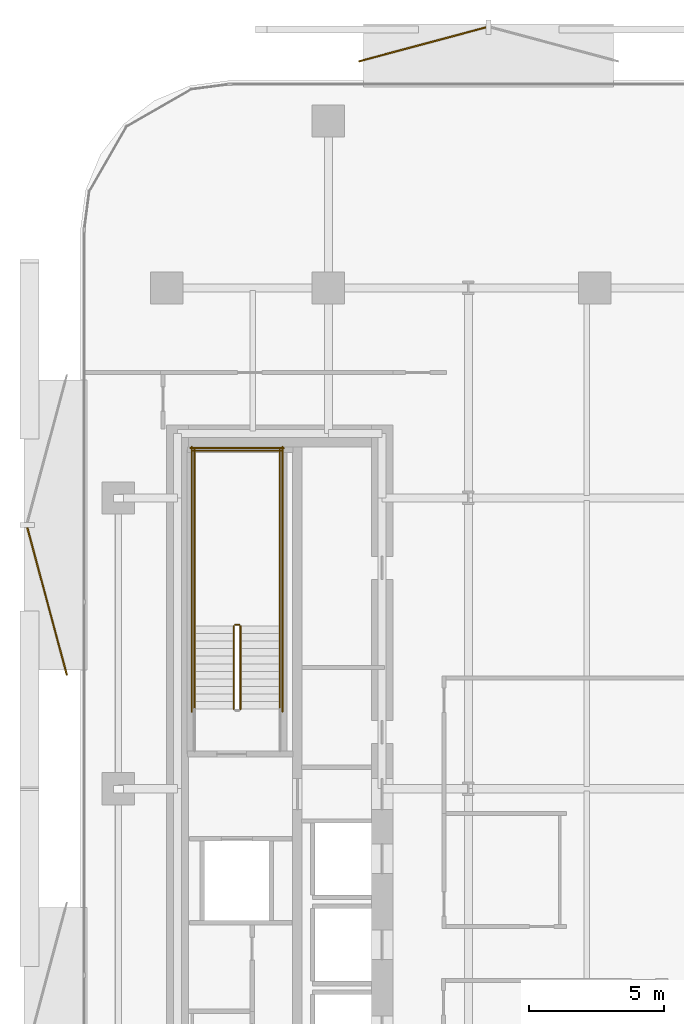
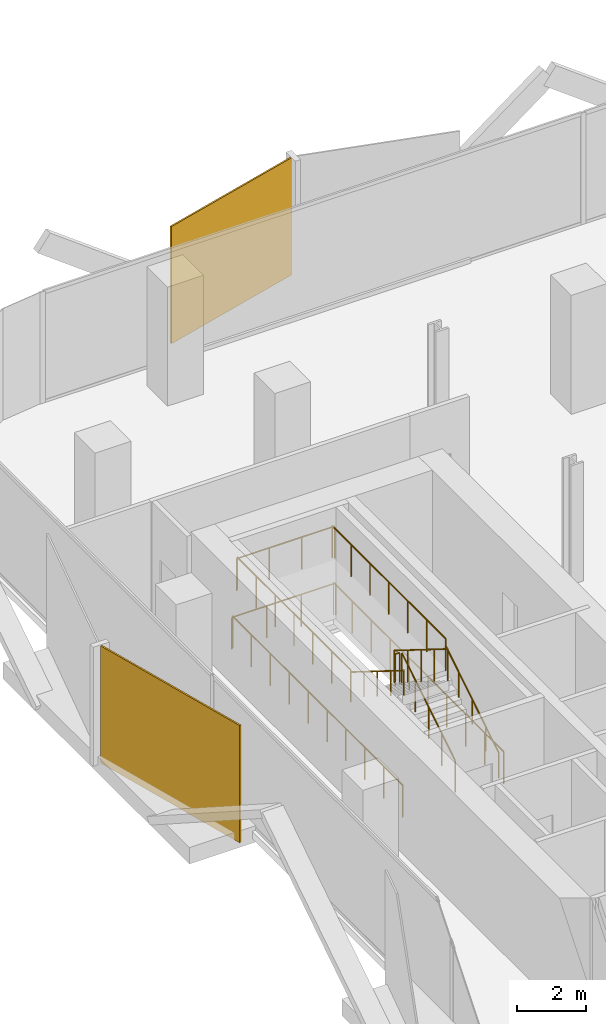
# One storey, part 14 of 15: 11 railings, 2 coverings.
"""IFC4 building model written with IfcOpenShell, lengths in metres."""

from ifc_helpers import new_model, si_unit, direction, frame, origin, origin_2d, place, context, subcontext, project, spatial, rectangle, circle, extrude, material, layer, layer_set, type_object, element, save


model = new_model("IFC4")

# Units and contexts
model_context = context("Model", 3, precision=1e-05, world=origin(), true_north=direction((0.0, 1.0)))
body_context = subcontext(model_context, "Body", "Model", "MODEL_VIEW")
ifc_project = project(units=[si_unit("LENGTHUNIT", "METRE"), si_unit("AREAUNIT", "SQUARE_METRE"), si_unit("VOLUMEUNIT", "CUBIC_METRE"), si_unit("PLANEANGLEUNIT", "RADIAN"), si_unit("MASSUNIT", "GRAM", prefix="KILO")], contexts=[model_context])

# Site, building, storey
site_placement = place(None, origin())
site = spatial("IfcSite", under=ifc_project, at=site_placement, CompositionType="ELEMENT")
building_placement = place(site_placement, origin())
building = spatial("IfcBuilding", under=site, at=building_placement, Name="Khairoan Windgate Tower", CompositionType="ELEMENT")
storey_placement = place(building_placement, frame((0.0, 0.0, 114.199951171875)))
storey = spatial("IfcBuildingStorey", under=building, at=storey_placement, Name="L26", CompositionType="ELEMENT", Elevation=114.199951171875)

# Coverings
ifc_material_1 = material(Name="Anodised Bronze Aluminium 6063-T6", Category="aluminium")
ifc_layer = layer(ifc_material_1, 0.054931640625, Name="Anodised Bronze Aluminium 6063-T6")
ifc_layer_set = layer_set([ifc_layer], Name="Anodised Bronze Aluminium 6063-T6")
covering_type = type_object("IfcCoveringType", Name="Perforated Bronze-Ceramic Folded Solar Screen Cladding BSC-1", PredefinedType="CLADDING", material=ifc_layer_set)
covering_1_placement = place(storey_placement, frame((-24.8447265625, 6.961669921875, -0.10009765625), z_axis=(0.0, 0.0, 1.0), x_axis=(-0.258819045103, 0.965925826289, 0.0)))
element("IfcCovering", 1, at=covering_1_placement, inside=storey, type_object=covering_type, Name="L26 Folded Bronze Solar Screen Facet 156L", PredefinedType="CLADDING", context=body_context, shape_type="SweptSolid", body=[
    extrude(rectangle(XDim=5.680908203125, YDim=0.054931640625, at=origin_2d()), origin(), (0.0, 0.0, 1.0), 4.139892578125),
])
covering_2_placement = place(storey_placement, frame((-10.90087890625, 27.646240234375, -0.10009765625), z_axis=(0.0, 0.0, 1.0), x_axis=(0.965925826289, 0.258819045103, 0.0)))
element("IfcCovering", 2, at=covering_2_placement, inside=storey, type_object=covering_type, Name="L26 Folded Bronze Solar Screen Facet 157L", PredefinedType="CLADDING", context=body_context, shape_type="SweptSolid", body=[
    extrude(rectangle(XDim=4.89794921875, YDim=0.054931640625, at=origin_2d()), origin(), (0.0, 0.0, 1.0), 4.139892578125),
])

# Railings
ifc_material_2 = material(Name="Anodised Bronze Aluminium 6063-T6", Category="aluminium")
railing_type_1 = type_object("IfcRailingType", Name="Stair Wall Handrail SHR-900", PredefinedType="HANDRAIL", material=ifc_material_2)
railing_1_placement = place(storey_placement, frame((-16.199951171875, 2.9599609375, 0.175048828125)))
element("IfcRailing", 3, at=railing_1_placement, inside=storey, type_object=railing_type_1, Name="L26 ST2 stair handrail 1", PredefinedType="HANDRAIL", context=body_context, shape_type="SweptSolid", body=[
    extrude(circle(Radius=0.02392578125, at=origin_2d()), frame((0.0, 0.0, 0.8759765625), z_axis=(0.0, 0.847998304005, 0.529998940003), x_axis=(-1.0, 0.0, 0.0)), (0.0, 0.0, 1.0), 3.632080078125),
    extrude(circle(Radius=0.02099609375, at=origin_2d()), origin(), (0.0, 0.0, 1.0), 0.851806640625),
    extrude(circle(Radius=0.02099609375, at=origin_2d()), frame((0.0, 0.77001953125, 0.481201171875)), (0.0, 0.0, 1.0), 0.851806640625),
    extrude(circle(Radius=0.02099609375, at=origin_2d()), frame((0.0, 1.5400390625, 0.96240234375)), (0.0, 0.0, 1.0), 0.851806640625),
    extrude(circle(Radius=0.02099609375, at=origin_2d()), frame((0.0, 2.31005859375, 1.44384765625)), (0.0, 0.0, 1.0), 0.851806640625),
    extrude(circle(Radius=0.02099609375, at=origin_2d()), frame((0.0, 3.080078125, 1.925048828125)), (0.0, 0.0, 1.0), 0.851806640625),
])
railing_2_placement = place(storey_placement, frame((-19.3701171875, 6.0400390625, 2.275146484375)))
element("IfcRailing", 4, at=railing_2_placement, inside=storey, type_object=railing_type_1, Name="L26 ST2 stair handrail 2", PredefinedType="HANDRAIL", context=body_context, shape_type="SweptSolid", body=[
    extrude(circle(Radius=0.02392578125, at=origin_2d()), frame((0.0, 0.0, 0.8759765625), z_axis=(0.0, -0.848028513186, 0.529950602248), x_axis=(1.0, 0.0, 0.0)), (0.0, 0.0, 1.0), 3.632080078125),
    extrude(circle(Radius=0.02099609375, at=origin_2d()), origin(), (0.0, 0.0, 1.0), 0.851806640625),
    extrude(circle(Radius=0.02099609375, at=origin_2d()), frame((0.0, -0.77001953125, 0.481201171875)), (0.0, 0.0, 1.0), 0.851806640625),
    extrude(circle(Radius=0.02099609375, at=origin_2d()), frame((0.0, -1.5400390625, 0.96240234375)), (0.0, 0.0, 1.0), 0.851806640625),
    extrude(circle(Radius=0.02099609375, at=origin_2d()), frame((0.0, -2.31005859375, 1.443603515625)), (0.0, 0.0, 1.0), 0.851806640625),
    extrude(circle(Radius=0.02099609375, at=origin_2d()), frame((0.0, -3.080078125, 1.9248046875)), (0.0, 0.0, 1.0), 0.851806640625),
])
ifc_material_3 = material(Name="Steel S355", Category="steel")
railing_type_2 = type_object("IfcRailingType", Name="Stairwell Safety Guardrail SGR-1150", PredefinedType="GUARDRAIL", material=ifc_material_3)
railing_3_placement = place(storey_placement, frame((-17.659912109375, 2.9599609375, 0.175048828125)))
element("IfcRailing", 5, at=railing_3_placement, inside=storey, type_object=railing_type_2, Name="L26 ST2 stair guard 1", PredefinedType="GUARDRAIL", context=body_context, shape_type="SweptSolid", body=[
    extrude(circle(Radius=0.02392578125, at=origin_2d()), frame((0.0, 0.0, 1.1259765625), z_axis=(0.0, 0.847998304005, 0.529998940003), x_axis=(-1.0, 0.0, 0.0)), (0.0, 0.0, 1.0), 3.632080078125),
    extrude(circle(Radius=0.02099609375, at=origin_2d()), origin(), (0.0, 0.0, 1.0), 1.101806640625),
    extrude(circle(Radius=0.02099609375, at=origin_2d()), frame((0.0, 0.77001953125, 0.481201171875)), (0.0, 0.0, 1.0), 1.101806640625),
    extrude(circle(Radius=0.02099609375, at=origin_2d()), frame((0.0, 1.5400390625, 0.96240234375)), (0.0, 0.0, 1.0), 1.101806640625),
    extrude(circle(Radius=0.02099609375, at=origin_2d()), frame((0.0, 2.31005859375, 1.44384765625)), (0.0, 0.0, 1.0), 1.101806640625),
    extrude(circle(Radius=0.02099609375, at=origin_2d()), frame((0.0, 3.080078125, 1.925048828125)), (0.0, 0.0, 1.0), 1.101806640625),
])
railing_4_placement = place(storey_placement, frame((-17.7099609375, 6.090087890625, 2.10009765625)))
element("IfcRailing", 6, at=railing_4_placement, inside=storey, type_object=railing_type_2, Name="L26 ST2 stair guard 2", PredefinedType="GUARDRAIL", context=body_context, shape_type="SweptSolid", body=[
    extrude(circle(Radius=0.02392578125, at=origin_2d()), frame((0.0, 0.0, 1.1259765625), z_axis=(-1.0, 0.0, 0.0), x_axis=(0.0, -1.0, 0.0)), (0.0, 0.0, 1.0), 0.150146484375),
    extrude(circle(Radius=0.02099609375, at=origin_2d()), origin(), (0.0, 0.0, 1.0), 1.101806640625),
    extrude(circle(Radius=0.02099609375, at=origin_2d()), frame((-0.150146484375, 0.0, 0.0)), (0.0, 0.0, 1.0), 1.101806640625),
])
for number, where, name in (
    (7, (-16.199951171875, 6.0400390625, 2.10009765625), "L26 ST2 stair guard 3"),
    (8, (-19.3701171875, 6.0400390625, 2.10009765625), "L26 ST2 stair guard 4"),
):
    element("IfcRailing", number, at=place(storey_placement, frame(where)), inside=storey, type_object=railing_type_2, Name=name, PredefinedType="GUARDRAIL", context=body_context, shape_type="SweptSolid", body=[
        extrude(circle(Radius=0.02392578125, at=origin_2d()), frame((0.0, 0.0, 1.1259765625), z_axis=(0.0, 1.0, 0.0), x_axis=(-1.0, 0.0, 0.0)), (0.0, 0.0, 1.0), 6.56005859375),
        extrude(circle(Radius=0.02099609375, at=origin_2d()), origin(), (0.0, 0.0, 1.0), 1.101806640625),
        extrude(circle(Radius=0.02099609375, at=origin_2d()), frame((0.0, 1.09326171875, 0.0)), (0.0, 0.0, 1.0), 1.101806640625),
        extrude(circle(Radius=0.02099609375, at=origin_2d()), frame((0.0, 2.186767578125, 0.0)), (0.0, 0.0, 1.0), 1.101806640625),
        extrude(circle(Radius=0.02099609375, at=origin_2d()), frame((0.0, 3.280029296875, 0.0)), (0.0, 0.0, 1.0), 1.101806640625),
        extrude(circle(Radius=0.02099609375, at=origin_2d()), frame((0.0, 4.373291015625, 0.0)), (0.0, 0.0, 1.0), 1.101806640625),
        extrude(circle(Radius=0.02099609375, at=origin_2d()), frame((0.0, 5.466796875, 0.0)), (0.0, 0.0, 1.0), 1.101806640625),
        extrude(circle(Radius=0.02099609375, at=origin_2d()), frame((0.0, 6.56005859375, 0.0)), (0.0, 0.0, 1.0), 1.101806640625),
    ])
railing_5_placement = place(storey_placement, frame((-16.14990234375, 12.550048828125, 2.10009765625)))
element("IfcRailing", 9, at=railing_5_placement, inside=storey, type_object=railing_type_2, Name="L26 ST2 stair guard 5", PredefinedType="GUARDRAIL", context=body_context, shape_type="SweptSolid", body=[
    extrude(circle(Radius=0.02392578125, at=origin_2d()), frame((0.0, 0.0, 1.1259765625), z_axis=(-1.0, 0.0, 0.0), x_axis=(0.0, -1.0, 0.0)), (0.0, 0.0, 1.0), 3.27001953125),
    extrude(circle(Radius=0.02099609375, at=origin_2d()), origin(), (0.0, 0.0, 1.0), 1.101806640625),
    extrude(circle(Radius=0.02099609375, at=origin_2d()), frame((-1.090087890625, 0.0, 0.0)), (0.0, 0.0, 1.0), 1.101806640625),
    extrude(circle(Radius=0.02099609375, at=origin_2d()), frame((-2.179931640625, 0.0, 0.0)), (0.0, 0.0, 1.0), 1.101806640625),
    extrude(circle(Radius=0.02099609375, at=origin_2d()), frame((-3.27001953125, 0.0, 0.0)), (0.0, 0.0, 1.0), 1.101806640625),
])
railing_6_placement = place(storey_placement, frame((-17.909912109375, 6.0400390625, 2.275146484375)))
element("IfcRailing", 10, at=railing_6_placement, inside=storey, type_object=railing_type_2, Name="L26 ST2 stair guard 6", PredefinedType="GUARDRAIL", context=body_context, shape_type="SweptSolid", body=[
    extrude(circle(Radius=0.02392578125, at=origin_2d()), frame((0.0, 0.0, 1.1259765625), z_axis=(0.0, -0.848028513186, 0.529950602248), x_axis=(1.0, 0.0, 0.0)), (0.0, 0.0, 1.0), 3.632080078125),
    extrude(circle(Radius=0.02099609375, at=origin_2d()), origin(), (0.0, 0.0, 1.0), 1.101806640625),
    extrude(circle(Radius=0.02099609375, at=origin_2d()), frame((0.0, -0.77001953125, 0.481201171875)), (0.0, 0.0, 1.0), 1.101806640625),
    extrude(circle(Radius=0.02099609375, at=origin_2d()), frame((0.0, -1.5400390625, 0.96240234375)), (0.0, 0.0, 1.0), 1.101806640625),
    extrude(circle(Radius=0.02099609375, at=origin_2d()), frame((0.0, -2.31005859375, 1.443603515625)), (0.0, 0.0, 1.0), 1.101806640625),
    extrude(circle(Radius=0.02099609375, at=origin_2d()), frame((0.0, -3.080078125, 1.9248046875)), (0.0, 0.0, 1.0), 1.101806640625),
])
for number, where, name in (
    (11, (-16.10009765625, 2.860107421875, 0.0), "L26 ST2 stair guard 10"),
    (12, (-19.469970703125, 2.860107421875, 0.0), "L26 ST2 stair guard 11"),
):
    element("IfcRailing", number, at=place(storey_placement, frame(where)), inside=storey, type_object=railing_type_2, Name=name, PredefinedType="GUARDRAIL", context=body_context, shape_type="SweptSolid", body=[
        extrude(circle(Radius=0.02392578125, at=origin_2d()), frame((0.0, 0.0, 1.1259765625), z_axis=(0.0, 1.0, 0.0), x_axis=(-1.0, 0.0, 0.0)), (0.0, 0.0, 1.0), 9.83984375),
        extrude(circle(Radius=0.02099609375, at=origin_2d()), origin(), (0.0, 0.0, 1.0), 1.101806640625),
        extrude(circle(Radius=0.02099609375, at=origin_2d()), frame((0.0, 1.09326171875, 0.0)), (0.0, 0.0, 1.0), 1.101806640625),
        extrude(circle(Radius=0.02099609375, at=origin_2d()), frame((0.0, 2.1865234375, 0.0)), (0.0, 0.0, 1.0), 1.101806640625),
        extrude(circle(Radius=0.02099609375, at=origin_2d()), frame((0.0, 3.280029296875, 0.0)), (0.0, 0.0, 1.0), 1.101806640625),
        extrude(circle(Radius=0.02099609375, at=origin_2d()), frame((0.0, 4.373291015625, 0.0)), (0.0, 0.0, 1.0), 1.101806640625),
        extrude(circle(Radius=0.02099609375, at=origin_2d()), frame((0.0, 5.466552734375, 0.0)), (0.0, 0.0, 1.0), 1.101806640625),
        extrude(circle(Radius=0.02099609375, at=origin_2d()), frame((0.0, 6.559814453125, 0.0)), (0.0, 0.0, 1.0), 1.101806640625),
        extrude(circle(Radius=0.02099609375, at=origin_2d()), frame((0.0, 7.6533203125, 0.0)), (0.0, 0.0, 1.0), 1.101806640625),
        extrude(circle(Radius=0.02099609375, at=origin_2d()), frame((0.0, 8.74658203125, 0.0)), (0.0, 0.0, 1.0), 1.101806640625),
        extrude(circle(Radius=0.02099609375, at=origin_2d()), frame((0.0, 9.83984375, 0.0)), (0.0, 0.0, 1.0), 1.101806640625),
    ])
railing_7_placement = place(storey_placement, frame((-16.050048828125, 12.64990234375, 0.0)))
element("IfcRailing", 13, at=railing_7_placement, inside=storey, type_object=railing_type_2, Name="L26 ST2 stair guard 12", PredefinedType="GUARDRAIL", context=body_context, shape_type="SweptSolid", body=[
    extrude(circle(Radius=0.02392578125, at=origin_2d()), frame((0.0, 0.0, 1.1259765625), z_axis=(-1.0, 0.0, 0.0), x_axis=(0.0, -1.0, 0.0)), (0.0, 0.0, 1.0), 3.469970703125),
    extrude(circle(Radius=0.02099609375, at=origin_2d()), origin(), (0.0, 0.0, 1.0), 1.101806640625),
    extrude(circle(Radius=0.02099609375, at=origin_2d()), frame((-1.15673828125, 0.0, 0.0)), (0.0, 0.0, 1.0), 1.101806640625),
    extrude(circle(Radius=0.02099609375, at=origin_2d()), frame((-2.313232421875, 0.0, 0.0)), (0.0, 0.0, 1.0), 1.101806640625),
    extrude(circle(Radius=0.02099609375, at=origin_2d()), frame((-3.469970703125, 0.0, 0.0)), (0.0, 0.0, 1.0), 1.101806640625),
])

save(model, "model.ifc")
